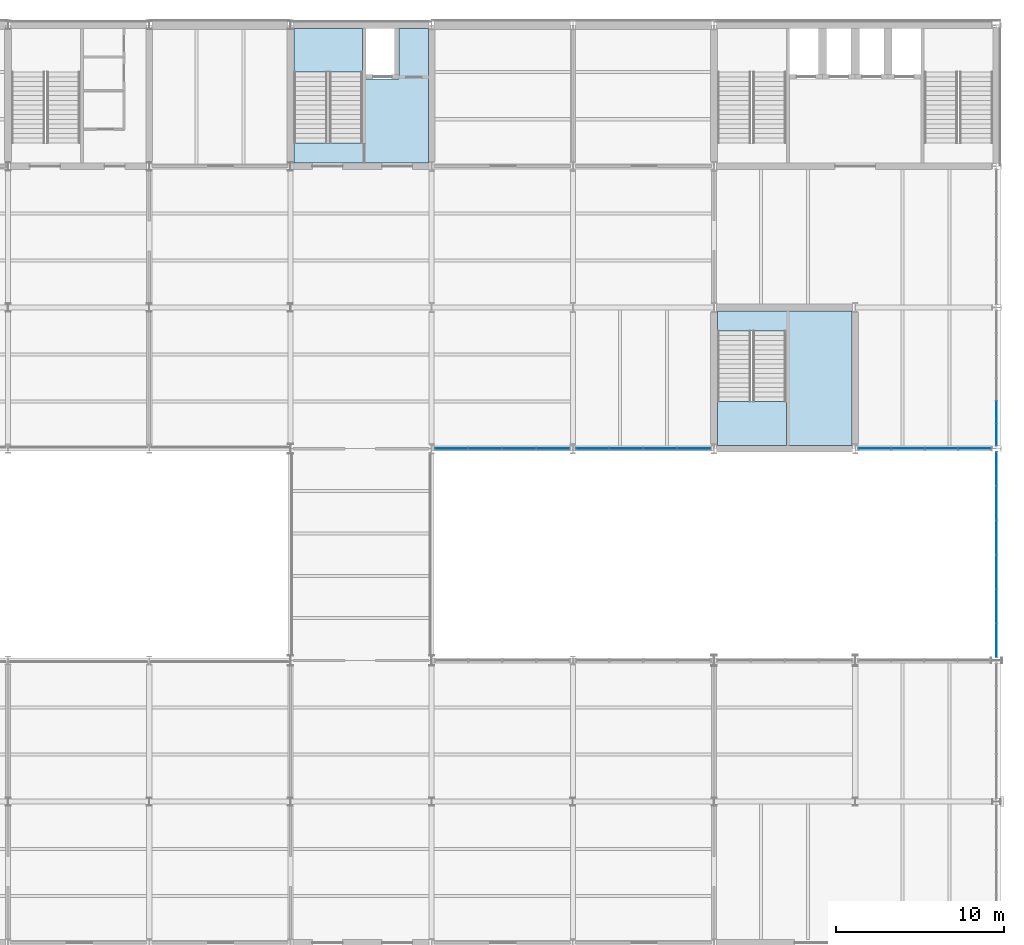
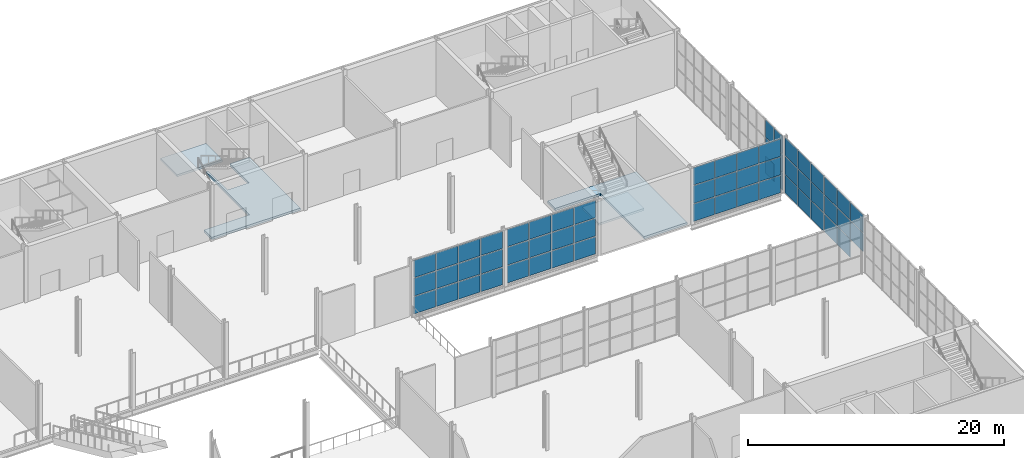
# One storey, part 37 of 64: 59 plates, 4 slabs, 7 elements without a shape of their own.
"""IFC4 building model written with IfcOpenShell, lengths in metres."""

from ifc_helpers import new_model, si_unit, direction, frame, origin, origin_2d, place, context, subcontext, project, spatial, polyline, rectangle, outline, extrude, material, layer, layer_set, type_object, element, aggregate, save


model = new_model("IFC4")

# Units and contexts
model_context = context("Model", 3, precision=1e-05, world=origin(), true_north=direction((0.0, 1.0)))
body_context = subcontext(model_context, "Body", "Model", "MODEL_VIEW")
ifc_project = project(units=[si_unit("LENGTHUNIT", "METRE"), si_unit("AREAUNIT", "SQUARE_METRE"), si_unit("VOLUMEUNIT", "CUBIC_METRE"), si_unit("PLANEANGLEUNIT", "RADIAN"), si_unit("MASSUNIT", "GRAM", prefix="KILO")], contexts=[model_context])

# Site, building, storey
site_placement = place(None, origin())
site = spatial("IfcSite", under=ifc_project, at=site_placement, CompositionType="ELEMENT")
building_placement = place(site_placement, origin())
building = spatial("IfcBuilding", under=site, at=building_placement, Name="Galleria Vessillo Department Store", CompositionType="ELEMENT")
storey_placement = place(building_placement, frame((0.0, 0.0, 6.0)))
storey = spatial("IfcBuildingStorey", under=building, at=storey_placement, Name="L01", CompositionType="ELEMENT", Elevation=6.0)

# Curtain wall, plates
ifc_material_1 = material(Name="Aluminium and glass curtain wall", Category="aluminium")
ifc_layer_1 = layer(ifc_material_1, 0.1201171875)
ifc_layer_set_1 = layer_set([ifc_layer_1], Name="Aluminium and glass curtain wall")
curtain_wall_type_1 = type_object("IfcCurtainWallType", Name="Shopfront curtain wall CW3 1400 module", PredefinedType="NOTDEFINED", material=ifc_layer_set_1)
curtain_wall_1_placement = place(storey_placement, origin())
curtain_wall_1 = element("IfcCurtainWall", 1, at=curtain_wall_1_placement, inside=storey, type_object=curtain_wall_type_1, Name="Shopfront curtain wall CW3 1400 module SE-N-L01-01", PredefinedType="NOTDEFINED")
ifc_material_2 = material(Name="Glass laminated 44.2 low-e", Category="glass")
ifc_layer_2 = layer(ifc_material_2, 0.02392578125)
ifc_layer_set_2 = layer_set([ifc_layer_2], Name="Glass laminated 44.2 low-e")
plate_type_1 = type_object("IfcPlateType", Name="Laminated glass panel 24 mm", PredefinedType="CURTAIN_PANEL", material=ifc_layer_set_2)
plate_1_placement = place(storey_placement, frame((117.60009765625, 38.64013671875, 1.77490234375), z_axis=(0.0, 0.0, 1.0), x_axis=(0.0, 1.0, 0.0)))
plate_1 = element("IfcPlate", 2, at=plate_1_placement, type_object=plate_type_1, Name="CW3 panel 1.2", PredefinedType="CURTAIN_PANEL", context=body_context, shape_type="SweptSolid", body=[
    extrude(rectangle(XDim=1.27392578125, YDim=0.02392578125, at=origin_2d()), origin(), (0.0, 0.0, 1.0), 1.699951171875),
])
plate_2_placement = place(storey_placement, frame((117.60009765625, 38.64013671875, 3.52490234375), z_axis=(0.0, 0.0, 1.0), x_axis=(0.0, 1.0, 0.0)))
plate_2 = element("IfcPlate", 3, at=plate_2_placement, type_object=plate_type_1, Name="CW3 panel 1.3", PredefinedType="CURTAIN_PANEL", context=body_context, shape_type="SweptSolid", body=[
    extrude(rectangle(XDim=1.27392578125, YDim=0.02392578125, at=origin_2d()), origin(), (0.0, 0.0, 1.0), 1.675048828125),
])
plate_3_placement = place(storey_placement, frame((117.60009765625, 39.9765625, 1.77490234375), z_axis=(0.0, 0.0, 1.0), x_axis=(0.0, 1.0, 0.0)))
plate_3 = element("IfcPlate", 4, at=plate_3_placement, type_object=plate_type_1, Name="CW3 panel 2.2", PredefinedType="CURTAIN_PANEL", context=body_context, shape_type="SweptSolid", body=[
    extrude(rectangle(XDim=1.299072265625, YDim=0.02392578125, at=origin_2d()), origin(), (0.0, 0.0, 1.0), 1.699951171875),
])
plate_4_placement = place(storey_placement, frame((117.60009765625, 39.9765625, 3.52490234375), z_axis=(0.0, 0.0, 1.0), x_axis=(0.0, 1.0, 0.0)))
plate_4 = element("IfcPlate", 5, at=plate_4_placement, type_object=plate_type_1, Name="CW3 panel 2.3", PredefinedType="CURTAIN_PANEL", context=body_context, shape_type="SweptSolid", body=[
    extrude(rectangle(XDim=1.299072265625, YDim=0.02392578125, at=origin_2d()), origin(), (0.0, 0.0, 1.0), 1.675048828125),
])

ifc_material_3 = material(Name="Aluminium and glass curtain wall", Category="aluminium")
ifc_layer_3 = layer(ifc_material_3, 0.159912109375)
ifc_layer_set_3 = layer_set([ifc_layer_3], Name="Aluminium and glass curtain wall")
curtain_wall_type_2 = type_object("IfcCurtainWallType", Name="Arcade portal glazing CW2 2100 module", PredefinedType="NOTDEFINED", material=ifc_layer_set_3)
curtain_wall_2_placement = place(storey_placement, origin())
curtain_wall_2 = element("IfcCurtainWall", 6, at=curtain_wall_2_placement, inside=storey, type_object=curtain_wall_type_2, Name="Arcade portal glazing CW2 2100 module PW-E-N-L01-01", PredefinedType="NOTDEFINED")
ifc_material_4 = material(Name="Glass laminated 44.2 low-e", Category="glass")
ifc_layer_4 = layer(ifc_material_4, 0.028076171875)
ifc_layer_set_4 = layer_set([ifc_layer_4], Name="Glass laminated 44.2 low-e")
plate_type_2 = type_object("IfcPlateType", Name="Laminated glass panel 28 mm", PredefinedType="CURTAIN_PANEL", material=ifc_layer_set_4)
plate_5_placement = place(storey_placement, frame((110.360595703125, 37.800048828125, 0.06005859375), z_axis=(0.0, 0.0, 1.0), x_axis=(1.0, 0.0, 0.0)))
plate_5 = element("IfcPlate", 7, at=plate_5_placement, type_object=plate_type_2, Name="CW2 panel 1.1", PredefinedType="CURTAIN_PANEL", context=body_context, shape_type="SweptSolid", body=[
    extrude(rectangle(XDim=1.915283203125, YDim=0.028076171875, at=origin_2d()), origin(), (0.0, 0.0, 1.0), 1.659912109375),
])
plate_6_placement = place(storey_placement, frame((110.360595703125, 37.800048828125, 1.780029296875), z_axis=(0.0, 0.0, 1.0), x_axis=(1.0, 0.0, 0.0)))
plate_6 = element("IfcPlate", 8, at=plate_6_placement, type_object=plate_type_2, Name="CW2 panel 1.2", PredefinedType="CURTAIN_PANEL", context=body_context, shape_type="SweptSolid", body=[
    extrude(rectangle(XDim=1.915283203125, YDim=0.028076171875, at=origin_2d()), origin(), (0.0, 0.0, 1.0), 1.68994140625),
])
plate_7_placement = place(storey_placement, frame((110.360595703125, 37.800048828125, 3.5302734375), z_axis=(0.0, 0.0, 1.0), x_axis=(1.0, 0.0, 0.0)))
plate_7 = element("IfcPlate", 9, at=plate_7_placement, type_object=plate_type_2, Name="CW2 panel 1.3", PredefinedType="CURTAIN_PANEL", context=body_context, shape_type="SweptSolid", body=[
    extrude(rectangle(XDim=1.915283203125, YDim=0.028076171875, at=origin_2d()), origin(), (0.0, 0.0, 1.0), 1.659912109375),
])
plate_8_placement = place(storey_placement, frame((112.33837890625, 37.800048828125, 0.06005859375), z_axis=(0.0, 0.0, 1.0), x_axis=(1.0, 0.0, 0.0)))
plate_8 = element("IfcPlate", 10, at=plate_8_placement, type_object=plate_type_2, Name="CW2 panel 2.1", PredefinedType="CURTAIN_PANEL", context=body_context, shape_type="SweptSolid", body=[
    extrude(rectangle(XDim=1.940185546875, YDim=0.028076171875, at=origin_2d()), origin(), (0.0, 0.0, 1.0), 1.659912109375),
])
plate_9_placement = place(storey_placement, frame((112.33837890625, 37.800048828125, 1.780029296875), z_axis=(0.0, 0.0, 1.0), x_axis=(1.0, 0.0, 0.0)))
plate_9 = element("IfcPlate", 11, at=plate_9_placement, type_object=plate_type_2, Name="CW2 panel 2.2", PredefinedType="CURTAIN_PANEL", context=body_context, shape_type="SweptSolid", body=[
    extrude(rectangle(XDim=1.940185546875, YDim=0.028076171875, at=origin_2d()), origin(), (0.0, 0.0, 1.0), 1.68994140625),
])
plate_10_placement = place(storey_placement, frame((112.33837890625, 37.800048828125, 3.5302734375), z_axis=(0.0, 0.0, 1.0), x_axis=(1.0, 0.0, 0.0)))
plate_10 = element("IfcPlate", 12, at=plate_10_placement, type_object=plate_type_2, Name="CW2 panel 2.3", PredefinedType="CURTAIN_PANEL", context=body_context, shape_type="SweptSolid", body=[
    extrude(rectangle(XDim=1.940185546875, YDim=0.028076171875, at=origin_2d()), origin(), (0.0, 0.0, 1.0), 1.659912109375),
])
plate_11_placement = place(storey_placement, frame((114.328857421875, 37.800048828125, 0.06005859375), z_axis=(0.0, 0.0, 1.0), x_axis=(1.0, 0.0, 0.0)))
plate_11 = element("IfcPlate", 13, at=plate_11_placement, type_object=plate_type_2, Name="CW2 panel 3.1", PredefinedType="CURTAIN_PANEL", context=body_context, shape_type="SweptSolid", body=[
    extrude(rectangle(XDim=1.940185546875, YDim=0.028076171875, at=origin_2d()), origin(), (0.0, 0.0, 1.0), 1.659912109375),
])
plate_12_placement = place(storey_placement, frame((114.328857421875, 37.800048828125, 1.780029296875), z_axis=(0.0, 0.0, 1.0), x_axis=(1.0, 0.0, 0.0)))
plate_12 = element("IfcPlate", 14, at=plate_12_placement, type_object=plate_type_2, Name="CW2 panel 3.2", PredefinedType="CURTAIN_PANEL", context=body_context, shape_type="SweptSolid", body=[
    extrude(rectangle(XDim=1.940185546875, YDim=0.028076171875, at=origin_2d()), origin(), (0.0, 0.0, 1.0), 1.68994140625),
])
plate_13_placement = place(storey_placement, frame((114.328857421875, 37.800048828125, 3.5302734375), z_axis=(0.0, 0.0, 1.0), x_axis=(1.0, 0.0, 0.0)))
plate_13 = element("IfcPlate", 15, at=plate_13_placement, type_object=plate_type_2, Name="CW2 panel 3.3", PredefinedType="CURTAIN_PANEL", context=body_context, shape_type="SweptSolid", body=[
    extrude(rectangle(XDim=1.940185546875, YDim=0.028076171875, at=origin_2d()), origin(), (0.0, 0.0, 1.0), 1.659912109375),
])
plate_14_placement = place(storey_placement, frame((116.306640625, 37.800048828125, 0.06005859375), z_axis=(0.0, 0.0, 1.0), x_axis=(1.0, 0.0, 0.0)))
plate_14 = element("IfcPlate", 16, at=plate_14_placement, type_object=plate_type_2, Name="CW2 panel 4.1", PredefinedType="CURTAIN_PANEL", context=body_context, shape_type="SweptSolid", body=[
    extrude(rectangle(XDim=1.915283203125, YDim=0.028076171875, at=origin_2d()), origin(), (0.0, 0.0, 1.0), 1.659912109375),
])
plate_15_placement = place(storey_placement, frame((116.306640625, 37.800048828125, 1.780029296875), z_axis=(0.0, 0.0, 1.0), x_axis=(1.0, 0.0, 0.0)))
plate_15 = element("IfcPlate", 17, at=plate_15_placement, type_object=plate_type_2, Name="CW2 panel 4.2", PredefinedType="CURTAIN_PANEL", context=body_context, shape_type="SweptSolid", body=[
    extrude(rectangle(XDim=1.915283203125, YDim=0.028076171875, at=origin_2d()), origin(), (0.0, 0.0, 1.0), 1.68994140625),
])
plate_16_placement = place(storey_placement, frame((116.306640625, 37.800048828125, 3.5302734375), z_axis=(0.0, 0.0, 1.0), x_axis=(1.0, 0.0, 0.0)))
plate_16 = element("IfcPlate", 18, at=plate_16_placement, type_object=plate_type_2, Name="CW2 panel 4.3", PredefinedType="CURTAIN_PANEL", context=body_context, shape_type="SweptSolid", body=[
    extrude(rectangle(XDim=1.915283203125, YDim=0.028076171875, at=origin_2d()), origin(), (0.0, 0.0, 1.0), 1.659912109375),
])
aggregate(curtain_wall_2, [plate_5, plate_6, plate_7, plate_8, plate_9, plate_10, plate_11, plate_12, plate_13, plate_14, plate_15, plate_16])

curtain_wall_3_placement = place(storey_placement, origin())
curtain_wall_3 = element("IfcCurtainWall", 19, at=curtain_wall_3_placement, inside=storey, type_object=curtain_wall_type_2, Name="Arcade portal glazing CW2 2100 module SCR-E-L01-01", PredefinedType="NOTDEFINED")
plate_17_placement = place(storey_placement, frame((117.60009765625, 26.3896484375, 1.830078125), z_axis=(0.0, 0.0, 1.0), x_axis=(0.0, 1.0, 0.0)))
plate_17 = element("IfcPlate", 20, at=plate_17_placement, type_object=plate_type_2, Name="CW2 panel 1.2", PredefinedType="CURTAIN_PANEL", context=body_context, shape_type="SweptSolid", body=[
    extrude(rectangle(XDim=1.97412109375, YDim=0.028076171875, at=origin_2d()), origin(), (0.0, 0.0, 1.0), 1.739990234375),
])
plate_18_placement = place(storey_placement, frame((117.60009765625, 26.3896484375, 3.6298828125), z_axis=(0.0, 0.0, 1.0), x_axis=(0.0, 1.0, 0.0)))
plate_18 = element("IfcPlate", 21, at=plate_18_placement, type_object=plate_type_2, Name="CW2 panel 1.3", PredefinedType="CURTAIN_PANEL", context=body_context, shape_type="SweptSolid", body=[
    extrude(rectangle(XDim=1.97412109375, YDim=0.028076171875, at=origin_2d()), origin(), (0.0, 0.0, 1.0), 1.7099609375),
])
plate_19_placement = place(storey_placement, frame((117.60009765625, 28.42626953125, 0.06005859375), z_axis=(0.0, 0.0, 1.0), x_axis=(0.0, 1.0, 0.0)))
plate_19 = element("IfcPlate", 22, at=plate_19_placement, type_object=plate_type_2, Name="CW2 panel 2.1", PredefinedType="CURTAIN_PANEL", context=body_context, shape_type="SweptSolid", body=[
    extrude(rectangle(XDim=1.9990234375, YDim=0.028076171875, at=origin_2d()), origin(), (0.0, 0.0, 1.0), 1.7099609375),
])
plate_20_placement = place(storey_placement, frame((117.60009765625, 28.42626953125, 1.830078125), z_axis=(0.0, 0.0, 1.0), x_axis=(0.0, 1.0, 0.0)))
plate_20 = element("IfcPlate", 23, at=plate_20_placement, type_object=plate_type_2, Name="CW2 panel 2.2", PredefinedType="CURTAIN_PANEL", context=body_context, shape_type="SweptSolid", body=[
    extrude(rectangle(XDim=1.9990234375, YDim=0.028076171875, at=origin_2d()), origin(), (0.0, 0.0, 1.0), 1.739990234375),
])
plate_21_placement = place(storey_placement, frame((117.60009765625, 28.42626953125, 3.6298828125), z_axis=(0.0, 0.0, 1.0), x_axis=(0.0, 1.0, 0.0)))
plate_21 = element("IfcPlate", 24, at=plate_21_placement, type_object=plate_type_2, Name="CW2 panel 2.3", PredefinedType="CURTAIN_PANEL", context=body_context, shape_type="SweptSolid", body=[
    extrude(rectangle(XDim=1.9990234375, YDim=0.028076171875, at=origin_2d()), origin(), (0.0, 0.0, 1.0), 1.7099609375),
])
plate_22_placement = place(storey_placement, frame((117.60009765625, 30.47509765625, 0.06005859375), z_axis=(0.0, 0.0, 1.0), x_axis=(0.0, 1.0, 0.0)))
plate_22 = element("IfcPlate", 25, at=plate_22_placement, type_object=plate_type_2, Name="CW2 panel 3.1", PredefinedType="CURTAIN_PANEL", context=body_context, shape_type="SweptSolid", body=[
    extrude(rectangle(XDim=1.9990234375, YDim=0.028076171875, at=origin_2d()), origin(), (0.0, 0.0, 1.0), 1.7099609375),
])
plate_23_placement = place(storey_placement, frame((117.60009765625, 30.47509765625, 1.830078125), z_axis=(0.0, 0.0, 1.0), x_axis=(0.0, 1.0, 0.0)))
plate_23 = element("IfcPlate", 26, at=plate_23_placement, type_object=plate_type_2, Name="CW2 panel 3.2", PredefinedType="CURTAIN_PANEL", context=body_context, shape_type="SweptSolid", body=[
    extrude(rectangle(XDim=1.9990234375, YDim=0.028076171875, at=origin_2d()), origin(), (0.0, 0.0, 1.0), 1.739990234375),
])
plate_24_placement = place(storey_placement, frame((117.60009765625, 30.47509765625, 3.6298828125), z_axis=(0.0, 0.0, 1.0), x_axis=(0.0, 1.0, 0.0)))
plate_24 = element("IfcPlate", 27, at=plate_24_placement, type_object=plate_type_2, Name="CW2 panel 3.3", PredefinedType="CURTAIN_PANEL", context=body_context, shape_type="SweptSolid", body=[
    extrude(rectangle(XDim=1.9990234375, YDim=0.028076171875, at=origin_2d()), origin(), (0.0, 0.0, 1.0), 1.7099609375),
])
plate_25_placement = place(storey_placement, frame((117.60009765625, 32.524169921875, 0.06005859375), z_axis=(0.0, 0.0, 1.0), x_axis=(0.0, 1.0, 0.0)))
plate_25 = element("IfcPlate", 28, at=plate_25_placement, type_object=plate_type_2, Name="CW2 panel 4.1", PredefinedType="CURTAIN_PANEL", context=body_context, shape_type="SweptSolid", body=[
    extrude(rectangle(XDim=1.9990234375, YDim=0.028076171875, at=origin_2d()), origin(), (0.0, 0.0, 1.0), 1.7099609375),
])
plate_26_placement = place(storey_placement, frame((117.60009765625, 32.524169921875, 1.830078125), z_axis=(0.0, 0.0, 1.0), x_axis=(0.0, 1.0, 0.0)))
plate_26 = element("IfcPlate", 29, at=plate_26_placement, type_object=plate_type_2, Name="CW2 panel 4.2", PredefinedType="CURTAIN_PANEL", context=body_context, shape_type="SweptSolid", body=[
    extrude(rectangle(XDim=1.9990234375, YDim=0.028076171875, at=origin_2d()), origin(), (0.0, 0.0, 1.0), 1.739990234375),
])
plate_27_placement = place(storey_placement, frame((117.60009765625, 32.524169921875, 3.6298828125), z_axis=(0.0, 0.0, 1.0), x_axis=(0.0, 1.0, 0.0)))
plate_27 = element("IfcPlate", 30, at=plate_27_placement, type_object=plate_type_2, Name="CW2 panel 4.3", PredefinedType="CURTAIN_PANEL", context=body_context, shape_type="SweptSolid", body=[
    extrude(rectangle(XDim=1.9990234375, YDim=0.028076171875, at=origin_2d()), origin(), (0.0, 0.0, 1.0), 1.7099609375),
])
plate_28_placement = place(storey_placement, frame((117.60009765625, 34.573486328125, 0.06005859375), z_axis=(0.0, 0.0, 1.0), x_axis=(0.0, 1.0, 0.0)))
plate_28 = element("IfcPlate", 31, at=plate_28_placement, type_object=plate_type_2, Name="CW2 panel 5.1", PredefinedType="CURTAIN_PANEL", context=body_context, shape_type="SweptSolid", body=[
    extrude(rectangle(XDim=1.9990234375, YDim=0.028076171875, at=origin_2d()), origin(), (0.0, 0.0, 1.0), 1.7099609375),
])
plate_29_placement = place(storey_placement, frame((117.60009765625, 34.573486328125, 1.830078125), z_axis=(0.0, 0.0, 1.0), x_axis=(0.0, 1.0, 0.0)))
plate_29 = element("IfcPlate", 32, at=plate_29_placement, type_object=plate_type_2, Name="CW2 panel 5.2", PredefinedType="CURTAIN_PANEL", context=body_context, shape_type="SweptSolid", body=[
    extrude(rectangle(XDim=1.9990234375, YDim=0.028076171875, at=origin_2d()), origin(), (0.0, 0.0, 1.0), 1.739990234375),
])
plate_30_placement = place(storey_placement, frame((117.60009765625, 34.573486328125, 3.6298828125), z_axis=(0.0, 0.0, 1.0), x_axis=(0.0, 1.0, 0.0)))
plate_30 = element("IfcPlate", 33, at=plate_30_placement, type_object=plate_type_2, Name="CW2 panel 5.3", PredefinedType="CURTAIN_PANEL", context=body_context, shape_type="SweptSolid", body=[
    extrude(rectangle(XDim=1.9990234375, YDim=0.028076171875, at=origin_2d()), origin(), (0.0, 0.0, 1.0), 1.7099609375),
])
plate_31_placement = place(storey_placement, frame((117.60009765625, 36.60986328125, 0.06005859375), z_axis=(0.0, 0.0, 1.0), x_axis=(0.0, 1.0, 0.0)))
plate_31 = element("IfcPlate", 34, at=plate_31_placement, type_object=plate_type_2, Name="CW2 panel 6.1", PredefinedType="CURTAIN_PANEL", context=body_context, shape_type="SweptSolid", body=[
    extrude(rectangle(XDim=1.97412109375, YDim=0.028076171875, at=origin_2d()), origin(), (0.0, 0.0, 1.0), 1.7099609375),
])
plate_32_placement = place(storey_placement, frame((117.60009765625, 36.60986328125, 1.830078125), z_axis=(0.0, 0.0, 1.0), x_axis=(0.0, 1.0, 0.0)))
plate_32 = element("IfcPlate", 35, at=plate_32_placement, type_object=plate_type_2, Name="CW2 panel 6.2", PredefinedType="CURTAIN_PANEL", context=body_context, shape_type="SweptSolid", body=[
    extrude(rectangle(XDim=1.97412109375, YDim=0.028076171875, at=origin_2d()), origin(), (0.0, 0.0, 1.0), 1.739990234375),
])
plate_33_placement = place(storey_placement, frame((117.60009765625, 36.60986328125, 3.6298828125), z_axis=(0.0, 0.0, 1.0), x_axis=(0.0, 1.0, 0.0)))
plate_33 = element("IfcPlate", 36, at=plate_33_placement, type_object=plate_type_2, Name="CW2 panel 6.3", PredefinedType="CURTAIN_PANEL", context=body_context, shape_type="SweptSolid", body=[
    extrude(rectangle(XDim=1.97412109375, YDim=0.028076171875, at=origin_2d()), origin(), (0.0, 0.0, 1.0), 1.7099609375),
])
aggregate(curtain_wall_3, [plate_17, plate_18, plate_19, plate_20, plate_21, plate_22, plate_23, plate_24, plate_25, plate_26, plate_27, plate_28, plate_29, plate_30, plate_31, plate_32, plate_33])

ifc_material_5 = material(Name="Aluminium and glass curtain wall", Category="aluminium")
ifc_layer_5 = layer(ifc_material_5, 0.199951171875)
ifc_layer_set_5 = layer_set([ifc_layer_5], Name="Aluminium and glass curtain wall")
curtain_wall_type_3 = type_object("IfcCurtainWallType", Name="Arcade curtain wall CW1 2100 module", PredefinedType="NOTDEFINED", material=ifc_layer_set_5)
curtain_wall_4_placement = place(storey_placement, origin())
curtain_wall_4 = element("IfcCurtainWall", 37, at=curtain_wall_4_placement, inside=storey, type_object=curtain_wall_type_3, Name="Arcade curtain wall CW1 2100 module AI-AE-N-L01-01", PredefinedType="NOTDEFINED")
ifc_material_6 = material(Name="Glass laminated 44.2 low-e", Category="glass")
ifc_layer_6 = layer(ifc_material_6, 0.031982421875)
ifc_layer_set_6 = layer_set([ifc_layer_6], Name="Glass laminated 44.2 low-e")
plate_type_3 = type_object("IfcPlateType", Name="Laminated glass panel 32 mm", PredefinedType="CURTAIN_PANEL", material=ifc_layer_set_6)
plate_34_placement = place(storey_placement, frame((85.1796875, 37.800048828125, 0.070068359375), z_axis=(0.0, 0.0, 1.0), x_axis=(1.0, 0.0, 0.0)))
plate_34 = element("IfcPlate", 38, at=plate_34_placement, type_object=plate_type_3, Name="CW1 panel 1.1", PredefinedType="CURTAIN_PANEL", context=body_context, shape_type="SweptSolid", body=[
    extrude(rectangle(XDim=1.933349609375, YDim=0.031982421875, at=origin_2d()), origin(), (0.0, 0.0, 1.0), 1.64501953125),
])
plate_35_placement = place(storey_placement, frame((85.1796875, 37.800048828125, 1.78515625), z_axis=(0.0, 0.0, 1.0), x_axis=(1.0, 0.0, 0.0)))
plate_35 = element("IfcPlate", 39, at=plate_35_placement, type_object=plate_type_3, Name="CW1 panel 1.2", PredefinedType="CURTAIN_PANEL", context=body_context, shape_type="SweptSolid", body=[
    extrude(rectangle(XDim=1.933349609375, YDim=0.031982421875, at=origin_2d()), origin(), (0.0, 0.0, 1.0), 1.679931640625),
])
plate_36_placement = place(storey_placement, frame((85.1796875, 37.800048828125, 3.534912109375), z_axis=(0.0, 0.0, 1.0), x_axis=(1.0, 0.0, 0.0)))
plate_36 = element("IfcPlate", 40, at=plate_36_placement, type_object=plate_type_3, Name="CW1 panel 1.3", PredefinedType="CURTAIN_PANEL", context=body_context, shape_type="SweptSolid", body=[
    extrude(rectangle(XDim=1.933349609375, YDim=0.031982421875, at=origin_2d()), origin(), (0.0, 0.0, 1.0), 1.64501953125),
])
plate_37_placement = place(storey_placement, frame((87.188232421875, 37.800048828125, 0.070068359375), z_axis=(0.0, 0.0, 1.0), x_axis=(1.0, 0.0, 0.0)))
plate_37 = element("IfcPlate", 41, at=plate_37_placement, type_object=plate_type_3, Name="CW1 panel 2.1", PredefinedType="CURTAIN_PANEL", context=body_context, shape_type="SweptSolid", body=[
    extrude(rectangle(XDim=1.96337890625, YDim=0.031982421875, at=origin_2d()), origin(), (0.0, 0.0, 1.0), 1.64501953125),
])
plate_38_placement = place(storey_placement, frame((87.188232421875, 37.800048828125, 1.78515625), z_axis=(0.0, 0.0, 1.0), x_axis=(1.0, 0.0, 0.0)))
plate_38 = element("IfcPlate", 42, at=plate_38_placement, type_object=plate_type_3, Name="CW1 panel 2.2", PredefinedType="CURTAIN_PANEL", context=body_context, shape_type="SweptSolid", body=[
    extrude(rectangle(XDim=1.96337890625, YDim=0.031982421875, at=origin_2d()), origin(), (0.0, 0.0, 1.0), 1.679931640625),
])
plate_39_placement = place(storey_placement, frame((87.188232421875, 37.800048828125, 3.534912109375), z_axis=(0.0, 0.0, 1.0), x_axis=(1.0, 0.0, 0.0)))
plate_39 = element("IfcPlate", 43, at=plate_39_placement, type_object=plate_type_3, Name="CW1 panel 2.3", PredefinedType="CURTAIN_PANEL", context=body_context, shape_type="SweptSolid", body=[
    extrude(rectangle(XDim=1.96337890625, YDim=0.031982421875, at=origin_2d()), origin(), (0.0, 0.0, 1.0), 1.64501953125),
])
plate_40_placement = place(storey_placement, frame((89.211669921875, 37.800048828125, 0.070068359375), z_axis=(0.0, 0.0, 1.0), x_axis=(1.0, 0.0, 0.0)))
plate_40 = element("IfcPlate", 44, at=plate_40_placement, type_object=plate_type_3, Name="CW1 panel 3.1", PredefinedType="CURTAIN_PANEL", context=body_context, shape_type="SweptSolid", body=[
    extrude(rectangle(XDim=1.96337890625, YDim=0.031982421875, at=origin_2d()), origin(), (0.0, 0.0, 1.0), 1.64501953125),
])
plate_41_placement = place(storey_placement, frame((89.211669921875, 37.800048828125, 1.78515625), z_axis=(0.0, 0.0, 1.0), x_axis=(1.0, 0.0, 0.0)))
plate_41 = element("IfcPlate", 45, at=plate_41_placement, type_object=plate_type_3, Name="CW1 panel 3.2", PredefinedType="CURTAIN_PANEL", context=body_context, shape_type="SweptSolid", body=[
    extrude(rectangle(XDim=1.96337890625, YDim=0.031982421875, at=origin_2d()), origin(), (0.0, 0.0, 1.0), 1.679931640625),
])
plate_42_placement = place(storey_placement, frame((89.211669921875, 37.800048828125, 3.534912109375), z_axis=(0.0, 0.0, 1.0), x_axis=(1.0, 0.0, 0.0)))
plate_42 = element("IfcPlate", 46, at=plate_42_placement, type_object=plate_type_3, Name="CW1 panel 3.3", PredefinedType="CURTAIN_PANEL", context=body_context, shape_type="SweptSolid", body=[
    extrude(rectangle(XDim=1.96337890625, YDim=0.031982421875, at=origin_2d()), origin(), (0.0, 0.0, 1.0), 1.64501953125),
])
plate_43_placement = place(storey_placement, frame((91.22021484375, 37.800048828125, 0.070068359375), z_axis=(0.0, 0.0, 1.0), x_axis=(1.0, 0.0, 0.0)))
plate_43 = element("IfcPlate", 47, at=plate_43_placement, type_object=plate_type_3, Name="CW1 panel 4.1", PredefinedType="CURTAIN_PANEL", context=body_context, shape_type="SweptSolid", body=[
    extrude(rectangle(XDim=1.933349609375, YDim=0.031982421875, at=origin_2d()), origin(), (0.0, 0.0, 1.0), 1.64501953125),
])
plate_44_placement = place(storey_placement, frame((91.22021484375, 37.800048828125, 1.78515625), z_axis=(0.0, 0.0, 1.0), x_axis=(1.0, 0.0, 0.0)))
plate_44 = element("IfcPlate", 48, at=plate_44_placement, type_object=plate_type_3, Name="CW1 panel 4.2", PredefinedType="CURTAIN_PANEL", context=body_context, shape_type="SweptSolid", body=[
    extrude(rectangle(XDim=1.933349609375, YDim=0.031982421875, at=origin_2d()), origin(), (0.0, 0.0, 1.0), 1.679931640625),
])
plate_45_placement = place(storey_placement, frame((91.22021484375, 37.800048828125, 3.534912109375), z_axis=(0.0, 0.0, 1.0), x_axis=(1.0, 0.0, 0.0)))
plate_45 = element("IfcPlate", 49, at=plate_45_placement, type_object=plate_type_3, Name="CW1 panel 4.3", PredefinedType="CURTAIN_PANEL", context=body_context, shape_type="SweptSolid", body=[
    extrude(rectangle(XDim=1.933349609375, YDim=0.031982421875, at=origin_2d()), origin(), (0.0, 0.0, 1.0), 1.64501953125),
])
aggregate(curtain_wall_4, [plate_34, plate_35, plate_36, plate_37, plate_38, plate_39, plate_40, plate_41, plate_42, plate_43, plate_44, plate_45])

curtain_wall_5_placement = place(storey_placement, origin())
curtain_wall_5 = element("IfcCurtainWall", 50, at=curtain_wall_5_placement, inside=storey, type_object=curtain_wall_type_3, Name="Arcade curtain wall CW1 2100 module AI-AE-N-L01-02", PredefinedType="NOTDEFINED")
plate_46_placement = place(storey_placement, frame((93.579833984375, 37.800048828125, 0.070068359375), z_axis=(0.0, 0.0, 1.0), x_axis=(1.0, 0.0, 0.0)))
plate_46 = element("IfcPlate", 51, at=plate_46_placement, type_object=plate_type_3, Name="CW1 panel 1.1", PredefinedType="CURTAIN_PANEL", context=body_context, shape_type="SweptSolid", body=[
    extrude(rectangle(XDim=1.93359375, YDim=0.031982421875, at=origin_2d()), origin(), (0.0, 0.0, 1.0), 1.64501953125),
])
plate_47_placement = place(storey_placement, frame((93.579833984375, 37.800048828125, 1.78515625), z_axis=(0.0, 0.0, 1.0), x_axis=(1.0, 0.0, 0.0)))
plate_47 = element("IfcPlate", 52, at=plate_47_placement, type_object=plate_type_3, Name="CW1 panel 1.2", PredefinedType="CURTAIN_PANEL", context=body_context, shape_type="SweptSolid", body=[
    extrude(rectangle(XDim=1.93359375, YDim=0.031982421875, at=origin_2d()), origin(), (0.0, 0.0, 1.0), 1.679931640625),
])
plate_48_placement = place(storey_placement, frame((93.579833984375, 37.800048828125, 3.534912109375), z_axis=(0.0, 0.0, 1.0), x_axis=(1.0, 0.0, 0.0)))
plate_48 = element("IfcPlate", 53, at=plate_48_placement, type_object=plate_type_3, Name="CW1 panel 1.3", PredefinedType="CURTAIN_PANEL", context=body_context, shape_type="SweptSolid", body=[
    extrude(rectangle(XDim=1.93359375, YDim=0.031982421875, at=origin_2d()), origin(), (0.0, 0.0, 1.0), 1.64501953125),
])
plate_49_placement = place(storey_placement, frame((95.588134765625, 37.800048828125, 0.070068359375), z_axis=(0.0, 0.0, 1.0), x_axis=(1.0, 0.0, 0.0)))
plate_49 = element("IfcPlate", 54, at=plate_49_placement, type_object=plate_type_3, Name="CW1 panel 2.1", PredefinedType="CURTAIN_PANEL", context=body_context, shape_type="SweptSolid", body=[
    extrude(rectangle(XDim=1.96337890625, YDim=0.031982421875, at=origin_2d()), origin(), (0.0, 0.0, 1.0), 1.64501953125),
])
plate_50_placement = place(storey_placement, frame((95.588134765625, 37.800048828125, 1.78515625), z_axis=(0.0, 0.0, 1.0), x_axis=(1.0, 0.0, 0.0)))
plate_50 = element("IfcPlate", 55, at=plate_50_placement, type_object=plate_type_3, Name="CW1 panel 2.2", PredefinedType="CURTAIN_PANEL", context=body_context, shape_type="SweptSolid", body=[
    extrude(rectangle(XDim=1.96337890625, YDim=0.031982421875, at=origin_2d()), origin(), (0.0, 0.0, 1.0), 1.679931640625),
])
plate_51_placement = place(storey_placement, frame((95.588134765625, 37.800048828125, 3.534912109375), z_axis=(0.0, 0.0, 1.0), x_axis=(1.0, 0.0, 0.0)))
plate_51 = element("IfcPlate", 56, at=plate_51_placement, type_object=plate_type_3, Name="CW1 panel 2.3", PredefinedType="CURTAIN_PANEL", context=body_context, shape_type="SweptSolid", body=[
    extrude(rectangle(XDim=1.96337890625, YDim=0.031982421875, at=origin_2d()), origin(), (0.0, 0.0, 1.0), 1.64501953125),
])
plate_52_placement = place(storey_placement, frame((97.61181640625, 37.800048828125, 0.070068359375), z_axis=(0.0, 0.0, 1.0), x_axis=(1.0, 0.0, 0.0)))
plate_52 = element("IfcPlate", 57, at=plate_52_placement, type_object=plate_type_3, Name="CW1 panel 3.1", PredefinedType="CURTAIN_PANEL", context=body_context, shape_type="SweptSolid", body=[
    extrude(rectangle(XDim=1.96337890625, YDim=0.031982421875, at=origin_2d()), origin(), (0.0, 0.0, 1.0), 1.64501953125),
])
plate_53_placement = place(storey_placement, frame((97.61181640625, 37.800048828125, 1.78515625), z_axis=(0.0, 0.0, 1.0), x_axis=(1.0, 0.0, 0.0)))
plate_53 = element("IfcPlate", 58, at=plate_53_placement, type_object=plate_type_3, Name="CW1 panel 3.2", PredefinedType="CURTAIN_PANEL", context=body_context, shape_type="SweptSolid", body=[
    extrude(rectangle(XDim=1.96337890625, YDim=0.031982421875, at=origin_2d()), origin(), (0.0, 0.0, 1.0), 1.679931640625),
])
plate_54_placement = place(storey_placement, frame((97.61181640625, 37.800048828125, 3.534912109375), z_axis=(0.0, 0.0, 1.0), x_axis=(1.0, 0.0, 0.0)))
plate_54 = element("IfcPlate", 59, at=plate_54_placement, type_object=plate_type_3, Name="CW1 panel 3.3", PredefinedType="CURTAIN_PANEL", context=body_context, shape_type="SweptSolid", body=[
    extrude(rectangle(XDim=1.96337890625, YDim=0.031982421875, at=origin_2d()), origin(), (0.0, 0.0, 1.0), 1.64501953125),
])
plate_55_placement = place(storey_placement, frame((99.6201171875, 37.800048828125, 0.070068359375), z_axis=(0.0, 0.0, 1.0), x_axis=(1.0, 0.0, 0.0)))
plate_55 = element("IfcPlate", 60, at=plate_55_placement, type_object=plate_type_3, Name="CW1 panel 4.1", PredefinedType="CURTAIN_PANEL", context=body_context, shape_type="SweptSolid", body=[
    extrude(rectangle(XDim=1.93359375, YDim=0.031982421875, at=origin_2d()), origin(), (0.0, 0.0, 1.0), 1.64501953125),
])
plate_56_placement = place(storey_placement, frame((99.6201171875, 37.800048828125, 1.78515625), z_axis=(0.0, 0.0, 1.0), x_axis=(1.0, 0.0, 0.0)))
plate_56 = element("IfcPlate", 61, at=plate_56_placement, type_object=plate_type_3, Name="CW1 panel 4.2", PredefinedType="CURTAIN_PANEL", context=body_context, shape_type="SweptSolid", body=[
    extrude(rectangle(XDim=1.93359375, YDim=0.031982421875, at=origin_2d()), origin(), (0.0, 0.0, 1.0), 1.679931640625),
])
plate_57_placement = place(storey_placement, frame((99.6201171875, 37.800048828125, 3.534912109375), z_axis=(0.0, 0.0, 1.0), x_axis=(1.0, 0.0, 0.0)))
plate_57 = element("IfcPlate", 62, at=plate_57_placement, type_object=plate_type_3, Name="CW1 panel 4.3", PredefinedType="CURTAIN_PANEL", context=body_context, shape_type="SweptSolid", body=[
    extrude(rectangle(XDim=1.93359375, YDim=0.031982421875, at=origin_2d()), origin(), (0.0, 0.0, 1.0), 1.64501953125),
])
aggregate(curtain_wall_5, [plate_46, plate_47, plate_48, plate_49, plate_50, plate_51, plate_52, plate_53, plate_54, plate_55, plate_56, plate_57])

# Slabs
ifc_material_7 = material(Name="Concrete C32/40 reinforced", Category="concrete")
ifc_layer_7 = layer(ifc_material_7, 0.219970703125)
ifc_layer_set_7 = layer_set([ifc_layer_7], Name="Concrete C32/40 reinforced")
slab_type_1 = type_object("IfcSlabType", Name="Reinforced concrete core floor slab 220 mm", PredefinedType="FLOOR", material=ifc_layer_set_7)
slab_1_placement = place(storey_placement, frame((0.0, 0.0, -0.219970703125)))
element("IfcSlab", 63, at=slab_1_placement, inside=storey, type_object=slab_type_1, Name="S-SLAB-L01-CORE-PC-NE", PredefinedType="FLOOR", context=body_context, shape_type="SweptSolid", body=[
    extrude(outline(polyline([(83.800048828125, 62.800048828125), (83.800048828125, 54.800048828125), (75.800048828125, 54.800048828125), (75.800048828125, 56.0), (79.89990234375, 56.0), (79.89990234375, 62.800048828125), (80.10009765625, 62.800048828125), (80.10009765625, 59.800048828125), (82.050048828125, 59.800048828125), (82.050048828125, 62.800048828125), (83.800048828125, 62.800048828125)])), origin(), (0.0, 0.0, 1.0), 0.219970703125),
])
slab_2_placement = place(storey_placement, frame((0.0, 0.0, -0.219970703125)))
element("IfcSlab", 64, at=slab_2_placement, inside=storey, type_object=slab_type_1, Name="S-SLAB-L01-CORE-TS", PredefinedType="FLOOR", context=body_context, shape_type="SweptSolid", body=[
    extrude(outline(polyline([(101.0, 46.0), (109.0, 46.0), (109.0, 38.0), (105.10009765625, 38.0), (105.10009765625, 44.800048828125), (101.0, 44.800048828125), (101.0, 46.0)])), origin(), (0.0, 0.0, 1.0), 0.219970703125),
])

# Stair, slab
ifc_material_8 = material(Name="Concrete C32/40", Category="concrete")
stair_type = type_object("IfcStairType", Name="Half-turn escape stair 2000 mm, 32 risers of 169 mm", PredefinedType="HALF_TURN_STAIR", material=ifc_material_8)
stair_1_placement = place(storey_placement, origin())
stair_1 = element("IfcStair", 65, at=stair_1_placement, inside=storey, type_object=stair_type, Name="Stair ST6 L01", PredefinedType="HALF_TURN_STAIR")
ifc_material_9 = material(Name="Concrete C32/40", Category="concrete")
ifc_layer_8 = layer(ifc_material_9, 0.199951171875)
ifc_layer_set_8 = layer_set([ifc_layer_8], Name="Concrete C32/40")
slab_type_2 = type_object("IfcSlabType", Name="Stair half landing 4100 x 2600 mm", PredefinedType="LANDING", material=ifc_layer_set_8)
slab_3_placement = place(storey_placement, frame((0.0, 0.0, 2.5)))
slab_3 = element("IfcSlab", 66, at=slab_3_placement, type_object=slab_type_2, Name="ST6 landing 1", PredefinedType="LANDING", context=body_context, shape_type="SweptSolid", body=[
    extrude(outline(polyline([(75.800048828125, 60.199951171875), (75.800048828125, 62.800048828125), (79.900146484375, 62.800048828125), (79.900146484375, 60.199951171875), (75.800048828125, 60.199951171875)])), origin(), (0.0, 0.0, 1.0), 0.199951171875),
])
aggregate(stair_1, [slab_3])

stair_2_placement = place(storey_placement, origin())
stair_2 = element("IfcStair", 67, at=stair_2_placement, inside=storey, type_object=stair_type, Name="Stair ST12 L01", PredefinedType="HALF_TURN_STAIR")
slab_4_placement = place(storey_placement, frame((0.0, 0.0, 2.5)))
slab_4 = element("IfcSlab", 68, at=slab_4_placement, type_object=slab_type_2, Name="ST12 landing 1", PredefinedType="LANDING", context=body_context, shape_type="SweptSolid", body=[
    extrude(outline(polyline([(101.0, 38.0), (101.0, 40.60009765625), (105.10009765625, 40.60009765625), (105.10009765625, 38.0), (101.0, 38.0)])), origin(), (0.0, 0.0, 1.0), 0.199951171875),
])
aggregate(stair_2, [slab_4])

# Plate
ifc_material_10 = material(Name="Limestone spandrel on aluminium tray", Category="masonry")
ifc_layer_9 = layer(ifc_material_10, 0.02392578125)
ifc_layer_set_9 = layer_set([ifc_layer_9], Name="Limestone spandrel on aluminium tray")
plate_type_4 = type_object("IfcPlateType", Name="Stone spandrel panel 24 mm", PredefinedType="CURTAIN_PANEL", material=ifc_layer_set_9)
plate_58_placement = place(storey_placement, frame((117.60009765625, 38.64013671875, 0.0498046875), z_axis=(0.0, 0.0, 1.0), x_axis=(0.0, 1.0, 0.0)))
plate_58 = element("IfcPlate", 69, at=plate_58_placement, type_object=plate_type_4, Name="CW3 panel 1.1", PredefinedType="CURTAIN_PANEL", context=body_context, shape_type="SweptSolid", body=[
    extrude(rectangle(XDim=1.27392578125, YDim=0.02392578125, at=origin_2d()), origin(), (0.0, 0.0, 1.0), 1.675048828125),
])

plate_59_placement = place(storey_placement, frame((117.60009765625, 39.9765625, 0.0498046875), z_axis=(0.0, 0.0, 1.0), x_axis=(0.0, 1.0, 0.0)))
plate_59 = element("IfcPlate", 70, at=plate_59_placement, type_object=plate_type_4, Name="CW3 panel 2.1", PredefinedType="CURTAIN_PANEL", context=body_context, shape_type="SweptSolid", body=[
    extrude(rectangle(XDim=1.299072265625, YDim=0.02392578125, at=origin_2d()), origin(), (0.0, 0.0, 1.0), 1.675048828125),
])

aggregate(curtain_wall_1, [plate_58, plate_1, plate_2, plate_59, plate_3, plate_4])

save(model, "model.ifc")
